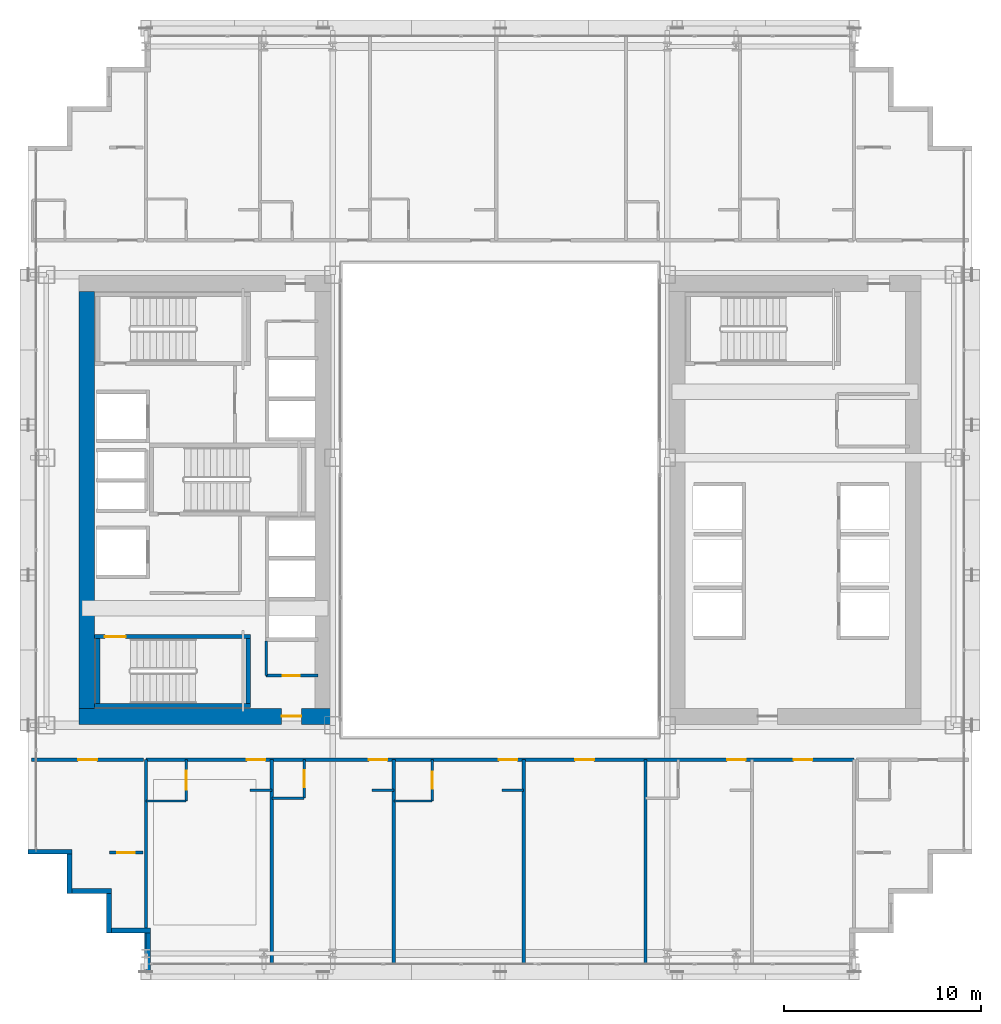
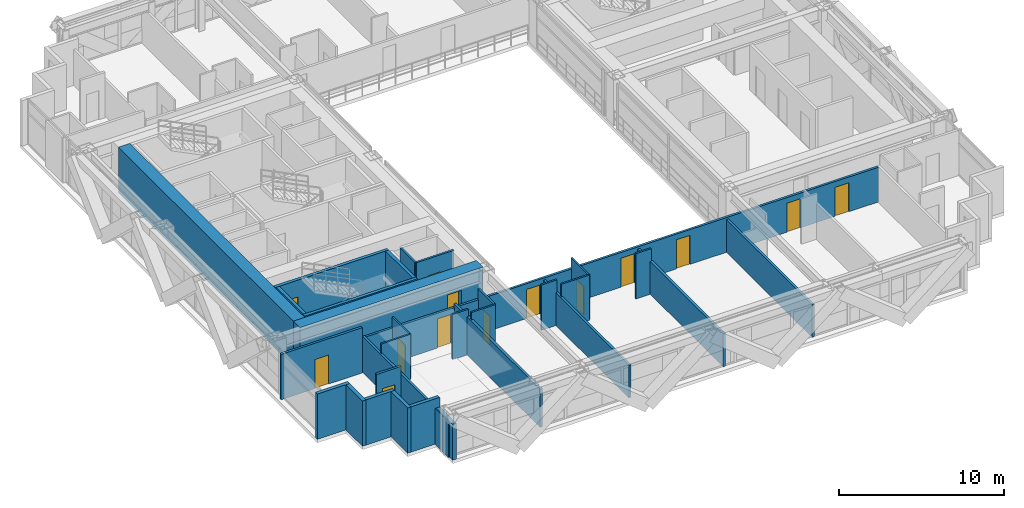
# One storey, part 33 of 41: 31 walls, 14 doors, 14 openings.
"""IFC4 building model written with IfcOpenShell, lengths in metres."""

from ifc_helpers import new_model, si_unit, direction, frame, frame_2d, origin, place, context, subcontext, project, spatial, rectangle, extrude, source, transform, mapped, material, layer, layer_set, type_object, element, fill, save


model = new_model("IFC4")

# Units and contexts
model_context = context("Model", 3, precision=1e-05, world=origin(), true_north=direction((0.0, 1.0)))
body_context = subcontext(model_context, "Body", "Model", "MODEL_VIEW")
ifc_project = project(units=[si_unit("LENGTHUNIT", "METRE"), si_unit("AREAUNIT", "SQUARE_METRE"), si_unit("VOLUMEUNIT", "CUBIC_METRE"), si_unit("PLANEANGLEUNIT", "RADIAN"), si_unit("MASSUNIT", "GRAM", prefix="KILO")], contexts=[model_context])

# Site, building, storey
site_placement = place(None, origin())
site = spatial("IfcSite", under=ifc_project, at=site_placement, CompositionType="ELEMENT")
building_placement = place(site_placement, origin())
building = spatial("IfcBuilding", under=site, at=building_placement, Name="Ocotamira Hotel", CompositionType="ELEMENT")
storey_placement = place(building_placement, frame((0.0, 0.0, 52.800048828125)))
storey = spatial("IfcBuildingStorey", under=building, at=storey_placement, Name="L12", CompositionType="ELEMENT", Elevation=52.800048828125)

# Wall, opening, door
ifc_material_1 = material(Name="Concrete C60/75", Category="concrete")
ifc_layer_1 = layer(ifc_material_1, 0.800048828125)
ifc_layer_set_1 = layer_set([ifc_layer_1], Name="Concrete C60/75")
wall_type_1 = type_object("IfcWallType", Name="WL-CORE-800", PredefinedType="SHEAR", material=ifc_layer_set_1)
wall_1_placement = place(storey_placement, frame((10.60009765625, 15.0, 0.0), z_axis=(0.0, 0.0, 1.0), x_axis=(1.0, 0.0, 0.0)))
wall_1 = element("IfcWall", 1, at=wall_1_placement, inside=storey, type_object=wall_type_1, Name="L12 Shear Core Wall WCORE-S", PredefinedType="SHEAR", context=body_context, shape_type="SweptSolid", body=[
    extrude(rectangle(XDim=12.7998046875, YDim=0.800048828125, at=frame_2d((6.39990234375, 0.0))), origin(), (0.0, 0.0, 1.0), 3.349853515625),
])
opening_1_placement = place(wall_1_placement, frame((10.300048828125, 0.0, 0.0)))
opening_1 = element("IfcOpeningElement", 2, at=opening_1_placement, cuts=wall_1, Name="Opening D-FR2", PredefinedType="OPENING", context=body_context, shape_type="SweptSolid", body=[
    extrude(rectangle(XDim=1.0, YDim=2.14990234375, at=frame_2d((0.5, 1.074951171875))), frame((0.0, 0.41015625, 0.0), z_axis=(0.0, -1.0, 0.0), x_axis=(1.0, 0.0, 0.0)), (0.0, 0.0, 1.0), 0.820068359375),
])
ifc_material_2 = material(Name="Fire-rated acoustic timber-veneer door", Category="wood")
door_type_1 = type_object("IfcDoorType", Name="DR-FIRE-1000", OperationType="NOTDEFINED", PredefinedType="DOOR", material=ifc_material_2)
shared_shape_1 = source(origin(), body_context, "Body", "SweptSolid", [
    extrude(rectangle(XDim=1.0, YDim=2.14990234375, at=frame_2d((0.5, 1.074951171875))), frame((0.0, 0.02490234375, 0.0), z_axis=(0.0, -1.0, 0.0), x_axis=(1.0, 0.0, 0.0)), (0.0, 0.0, 1.0), 0.050048828125),
])
door_1_placement = place(opening_1_placement, origin())
door_1 = element("IfcDoor", 3, at=door_1_placement, inside=storey, type_object=door_type_1, Name="L12 Door ID-L12-WLOB-S-D [ID-L12-WLOB-S-D]", OperationType="SINGLE_SWING_LEFT", OverallHeight=2.14990234375, OverallWidth=1.0, PredefinedType="DOOR", context=body_context, shape_type="MappedRepresentation", body=[
    mapped(shared_shape_1, transform((0.0, 0.0, 0.0), scale=1.0)),
])
fill(opening_1, door_1)

# Walls
wall_2_placement = place(storey_placement, frame((11.0, 15.39990234375, 0.0), z_axis=(0.0, 0.0, 1.0), x_axis=(0.0, 1.0, 0.0)))
element("IfcWall", 4, at=wall_2_placement, inside=storey, type_object=wall_type_1, Name="L12 Shear Core Wall WCORE-W", PredefinedType="SHEAR", context=body_context, shape_type="SweptSolid", body=[
    extrude(rectangle(XDim=21.2001953125, YDim=0.800048828125, at=frame_2d((10.60009765625, 0.0))), origin(), (0.0, 0.0, 1.0), 3.349853515625),
])
ifc_material_3 = material(Name="Precast concrete C45/55", Category="concrete")
ifc_layer_2 = layer(ifc_material_3, 0.25)
ifc_layer_set_2 = layer_set([ifc_layer_2], Name="Precast concrete C45/55")
wall_type_2 = type_object("IfcWallType", Name="WL-EXT-SER-250", PredefinedType="SOLIDWALL", material=ifc_layer_set_2)
wall_3_placement = place(storey_placement, frame((8.0, 8.125, 0.0), z_axis=(0.0, 0.0, 1.0), x_axis=(1.0, 0.0, 0.0)))
element("IfcWall", 5, at=wall_3_placement, inside=storey, type_object=wall_type_2, Name="L12 Serrated Corner Wall 19", PredefinedType="SOLIDWALL", context=body_context, shape_type="SweptSolid", body=[
    extrude(rectangle(XDim=2.25, YDim=0.25, at=frame_2d((1.125, 0.0))), origin(), (0.0, 0.0, 1.0), 3.349853515625),
])
for number, where, z_axis, x_axis, name in (
    (6, (10.125, 8.0, 0.0), (0.0, 0.0, 1.0), (0.0, -1.0, 0.0), "L12 Serrated Corner Wall 20"),
    (7, (10.25, 6.125, 0.0), (0.0, 0.0, 1.0), (1.0, 0.0, 0.0), "L12 Serrated Corner Wall 21"),
    (8, (12.125, 6.0, 0.0), (0.0, 0.0, 1.0), (0.0, -1.0, 0.0), "L12 Serrated Corner Wall 22"),
    (9, (12.25, 4.125, 0.0), (0.0, 0.0, 1.0), (1.0, 0.0, 0.0), "L12 Serrated Corner Wall 23"),
):
    element("IfcWall", number, at=place(storey_placement, frame(where, z_axis=z_axis, x_axis=x_axis)), inside=storey, type_object=wall_type_2, Name=name, PredefinedType="SOLIDWALL", context=body_context, shape_type="SweptSolid", body=[
        extrude(rectangle(XDim=2.0, YDim=0.25, at=frame_2d((1.0, 0.0))), origin(), (0.0, 0.0, 1.0), 3.349853515625),
    ])
wall_4_placement = place(storey_placement, frame((14.125, 4.0, 0.0), z_axis=(0.0, 0.0, 1.0), x_axis=(0.0, -1.0, 0.0)))
element("IfcWall", 10, at=wall_4_placement, inside=storey, type_object=wall_type_2, Name="L12 Serrated Corner Wall 24", PredefinedType="SOLIDWALL", context=body_context, shape_type="SweptSolid", body=[
    extrude(rectangle(XDim=2.0, YDim=0.25, at=frame_2d((1.0, 0.0))), origin(), (0.0, 0.0, 1.0), 2.656982421875),
])

# Wall, opening, door
ifc_material_4 = material(Name="Acoustic double-layer fire gypsum board partition", Category="gypsum")
ifc_layer_3 = layer(ifc_material_4, 0.159912109375)
ifc_layer_set_3 = layer_set([ifc_layer_3], Name="Acoustic double-layer fire gypsum board partition")
wall_type_3 = type_object("IfcWallType", Name="WL-FIRE-160", PredefinedType="PARTITIONING", material=ifc_layer_set_3)
wall_5_placement = place(storey_placement, frame((8.199951171875, 12.800048828125, 0.0), z_axis=(0.0, 0.0, 1.0), x_axis=(1.0, 0.0, 0.0)))
wall_5 = element("IfcWall", 11, at=wall_5_placement, inside=storey, type_object=wall_type_3, Name="L12 Interior Wall PW-L12-Z1B-CSW-CW", PredefinedType="PARTITIONING", context=body_context, shape_type="SweptSolid", body=[
    extrude(rectangle(XDim=5.679931640625, YDim=0.159912109375, at=frame_2d((2.83984375, 0.0))), origin(), (0.0, 0.0, 1.0), 3.349853515625),
])
opening_2_placement = place(wall_5_placement, frame((2.360107421875, 0.0, 0.0)))
opening_2 = element("IfcOpeningElement", 12, at=opening_2_placement, cuts=wall_5, Name="Opening D-SV4", PredefinedType="OPENING", context=body_context, shape_type="SweptSolid", body=[
    extrude(rectangle(XDim=0.9599609375, YDim=2.14990234375, at=frame_2d((0.47998046875, 1.074951171875))), frame((0.0, 0.08984375, 0.0), z_axis=(0.0, -1.0, 0.0), x_axis=(1.0, 0.0, 0.0)), (0.0, 0.0, 1.0), 0.179931640625),
])
ifc_material_5 = material(Name="Fire-rated accessible walnut salon door", Category="wood")
door_type_2 = type_object("IfcDoorType", Name="DR-SERV-960", OperationType="NOTDEFINED", PredefinedType="DOOR", material=ifc_material_5)
shared_shape_2 = source(origin(), body_context, "Body", "SweptSolid", [
    extrude(rectangle(XDim=0.9599609375, YDim=2.14990234375, at=frame_2d((0.47998046875, 1.074951171875))), frame((0.0, 0.02490234375, 0.0), z_axis=(0.0, -1.0, 0.0), x_axis=(1.0, 0.0, 0.0)), (0.0, 0.0, 1.0), 0.050048828125),
])
door_2_placement = place(opening_2_placement, origin())
door_2 = element("IfcDoor", 13, at=door_2_placement, inside=storey, type_object=door_type_2, Name="L12 Door ID-L12-Z1B-CSW-CD [ID-L12-Z1B-CSW-CD]", OperationType="SINGLE_SWING_LEFT", OverallHeight=2.14990234375, OverallWidth=0.9599609375, PredefinedType="DOOR", context=body_context, shape_type="MappedRepresentation", body=[
    mapped(shared_shape_2, transform((0.0, 0.0, 0.0), scale=1.0)),
])
fill(opening_2, door_2)

wall_6_placement = place(storey_placement, frame((12.14990234375, 8.080078125, 0.0), z_axis=(0.0, 0.0, 1.0), x_axis=(1.0, 0.0, 0.0)))
wall_6 = element("IfcWall", 14, at=wall_6_placement, inside=storey, type_object=wall_type_3, Name="L12 Interior Wall PW-L12-Z1B-CSW2-CW", PredefinedType="PARTITIONING", context=body_context, shape_type="SweptSolid", body=[
    extrude(rectangle(XDim=1.7001953125, YDim=0.159912109375, at=frame_2d((0.85009765625, 0.0))), origin(), (0.0, 0.0, 1.0), 3.349853515625),
])
opening_3_placement = place(wall_6_placement, frame((0.409912109375, 0.0, 0.0)))
opening_3 = element("IfcOpeningElement", 15, at=opening_3_placement, cuts=wall_6, Name="Opening D-SV2", PredefinedType="OPENING", context=body_context, shape_type="SweptSolid", body=[
    extrude(rectangle(XDim=0.8798828125, YDim=2.14990234375, at=frame_2d((0.43994140625, 1.074951171875))), frame((0.0, 0.08984375, 0.0), z_axis=(0.0, -1.0, 0.0), x_axis=(1.0, 0.0, 0.0)), (0.0, 0.0, 1.0), 0.179931640625),
])
ifc_material_6 = material(Name="Fire-rated painted steel service door", Category="steel")
door_type_3 = type_object("IfcDoorType", Name="DR-SERV-880", OperationType="NOTDEFINED", PredefinedType="DOOR", material=ifc_material_6)
shared_shape_3 = source(origin(), body_context, "Body", "SweptSolid", [
    extrude(rectangle(XDim=0.8798828125, YDim=2.14990234375, at=frame_2d((0.43994140625, 1.074951171875))), frame((0.0, 0.02490234375, 0.0), z_axis=(0.0, -1.0, 0.0), x_axis=(1.0, 0.0, 0.0)), (0.0, 0.0, 1.0), 0.050048828125),
])
door_3_placement = place(opening_3_placement, origin())
door_3 = element("IfcDoor", 16, at=door_3_placement, inside=storey, type_object=door_type_3, Name="L12 Door ID-L12-Z1B-CSW2-CD [ID-L12-Z1B-CSW2-CD]", OperationType="SINGLE_SWING_LEFT", OverallHeight=2.14990234375, OverallWidth=0.8798828125, PredefinedType="DOOR", context=body_context, shape_type="MappedRepresentation", body=[
    mapped(shared_shape_3, transform((0.0, 0.0, 0.0), scale=1.0)),
])
fill(opening_3, door_3)

# Wall, openings, doors
wall_7_placement = place(storey_placement, frame((14.0, 12.800048828125, 0.0), z_axis=(0.0, 0.0, 1.0), x_axis=(1.0, 0.0, 0.0)))
wall_7 = element("IfcWall", 17, at=wall_7_placement, inside=storey, type_object=wall_type_3, Name="L12 Interior Wall PW-L12-Z1BS-CORRW", PredefinedType="PARTITIONING", context=body_context, shape_type="SweptSolid", body=[
    extrude(rectangle(XDim=36.0, YDim=0.159912109375, at=frame_2d((18.0, 0.0))), origin(), (0.0, 0.0, 1.0), 2.571044921875),
])
opening_4_placement = place(wall_7_placement, frame((5.139892578125, 0.0, 0.0)))
opening_4 = element("IfcOpeningElement", 18, at=opening_4_placement, cuts=wall_7, Name="Opening D-GR1", PredefinedType="OPENING", context=body_context, shape_type="SweptSolid", body=[
    extrude(rectangle(XDim=0.93994140625, YDim=2.14990234375, at=frame_2d((0.469970703125, 1.074951171875))), frame((0.0, 0.08984375, 0.0), z_axis=(0.0, -1.0, 0.0), x_axis=(1.0, 0.0, 0.0)), (0.0, 0.0, 1.0), 0.179931640625),
])
opening_5_placement = place(wall_7_placement, frame((11.340087890625, 0.0, 0.0)))
opening_5 = element("IfcOpeningElement", 19, at=opening_5_placement, cuts=wall_7, Name="Opening D-GR1", PredefinedType="OPENING", context=body_context, shape_type="SweptSolid", body=[
    extrude(rectangle(XDim=0.93994140625, YDim=2.14990234375, at=frame_2d((0.469970703125, 1.074951171875))), frame((0.0, 0.08984375, 0.0), z_axis=(0.0, -1.0, 0.0), x_axis=(1.0, 0.0, 0.0)), (0.0, 0.0, 1.0), 0.179931640625),
])
opening_6_placement = place(wall_7_placement, frame((17.93994140625, 0.0, 0.0)))
opening_6 = element("IfcOpeningElement", 20, at=opening_6_placement, cuts=wall_7, Name="Opening D-GR1", PredefinedType="OPENING", context=body_context, shape_type="SweptSolid", body=[
    extrude(rectangle(XDim=0.93994140625, YDim=2.14990234375, at=frame_2d((0.469970703125, 1.074951171875))), frame((0.0, 0.08984375, 0.0), z_axis=(0.0, -1.0, 0.0), x_axis=(1.0, 0.0, 0.0)), (0.0, 0.0, 1.0), 0.179931640625),
])
opening_7_placement = place(wall_7_placement, frame((21.820068359375, 0.0, 0.0)))
opening_7 = element("IfcOpeningElement", 21, at=opening_7_placement, cuts=wall_7, Name="Opening D-SV4", PredefinedType="OPENING", context=body_context, shape_type="SweptSolid", body=[
    extrude(rectangle(XDim=0.9599609375, YDim=2.14990234375, at=frame_2d((0.47998046875, 1.074951171875))), frame((0.0, 0.08984375, 0.0), z_axis=(0.0, -1.0, 0.0), x_axis=(1.0, 0.0, 0.0)), (0.0, 0.0, 1.0), 0.179931640625),
])
opening_8_placement = place(wall_7_placement, frame((29.5400390625, 0.0, 0.0)))
opening_8 = element("IfcOpeningElement", 22, at=opening_8_placement, cuts=wall_7, Name="Opening D-GR1", PredefinedType="OPENING", context=body_context, shape_type="SweptSolid", body=[
    extrude(rectangle(XDim=0.93994140625, YDim=2.14990234375, at=frame_2d((0.469970703125, 1.074951171875))), frame((0.0, 0.08984375, 0.0), z_axis=(0.0, -1.0, 0.0), x_axis=(1.0, 0.0, 0.0)), (0.0, 0.0, 1.0), 0.179931640625),
])
opening_9_placement = place(wall_7_placement, frame((32.919921875, 0.0, 0.0)))
opening_9 = element("IfcOpeningElement", 23, at=opening_9_placement, cuts=wall_7, Name="Opening D-SV4", PredefinedType="OPENING", context=body_context, shape_type="SweptSolid", body=[
    extrude(rectangle(XDim=0.9599609375, YDim=2.14990234375, at=frame_2d((0.47998046875, 1.074951171875))), frame((0.0, 0.08984375, 0.0), z_axis=(0.0, -1.0, 0.0), x_axis=(1.0, 0.0, 0.0)), (0.0, 0.0, 1.0), 0.179931640625),
])
door_4_placement = place(opening_7_placement, origin())
door_4 = element("IfcDoor", 24, at=door_4_placement, inside=storey, type_object=door_type_2, Name="L12 Door ID-L12-Z1BS-AMD4 [ID-L12-Z1BS-AMD4]", OperationType="SINGLE_SWING_RIGHT", OverallHeight=2.14990234375, OverallWidth=0.9599609375, PredefinedType="DOOR", context=body_context, shape_type="MappedRepresentation", body=[
    mapped(shared_shape_2, transform((0.0, 0.0, 0.0), scale=1.0)),
])
fill(opening_7, door_4)
door_5_placement = place(opening_9_placement, origin())
door_5 = element("IfcDoor", 25, at=door_5_placement, inside=storey, type_object=door_type_2, Name="L12 Door ID-L12-Z1BS-AMD6 [ID-L12-Z1BS-AMD6]", OperationType="SINGLE_SWING_RIGHT", OverallHeight=2.14990234375, OverallWidth=0.9599609375, PredefinedType="DOOR", context=body_context, shape_type="MappedRepresentation", body=[
    mapped(shared_shape_2, transform((0.0, 0.0, 0.0), scale=1.0)),
])
fill(opening_9, door_5)
ifc_material_7 = material(Name="Solid-core walnut suite entrance fire door", Category="wood")
door_type_4 = type_object("IfcDoorType", Name="DR-GUEST-940", OperationType="NOTDEFINED", PredefinedType="DOOR", material=ifc_material_7)
shared_shape_4 = source(origin(), body_context, "Body", "SweptSolid", [
    extrude(rectangle(XDim=0.93994140625, YDim=2.14990234375, at=frame_2d((0.469970703125, 1.074951171875))), frame((0.0, 0.02490234375, 0.0), z_axis=(0.0, -1.0, 0.0), x_axis=(1.0, 0.0, 0.0)), (0.0, 0.0, 1.0), 0.050048828125),
])
door_6_placement = place(opening_4_placement, origin())
door_6 = element("IfcDoor", 26, at=door_6_placement, inside=storey, type_object=door_type_4, Name="L12 Door ID-L12-Z1BS-RMD1 [ID-L12-Z1BS-RMD1]", OperationType="SINGLE_SWING_LEFT", OverallHeight=2.14990234375, OverallWidth=0.93994140625, PredefinedType="DOOR", context=body_context, shape_type="MappedRepresentation", body=[
    mapped(shared_shape_4, transform((0.0, 0.0, 0.0), scale=1.0)),
])
fill(opening_4, door_6)
door_7_placement = place(opening_5_placement, origin())
door_7 = element("IfcDoor", 27, at=door_7_placement, inside=storey, type_object=door_type_4, Name="L12 Door ID-L12-Z1BS-RMD2 [ID-L12-Z1BS-RMD2]", OperationType="SINGLE_SWING_RIGHT", OverallHeight=2.14990234375, OverallWidth=0.93994140625, PredefinedType="DOOR", context=body_context, shape_type="MappedRepresentation", body=[
    mapped(shared_shape_4, transform((0.0, 0.0, 0.0), scale=1.0)),
])
fill(opening_5, door_7)
door_8_placement = place(opening_6_placement, origin())
door_8 = element("IfcDoor", 28, at=door_8_placement, inside=storey, type_object=door_type_4, Name="L12 Door ID-L12-Z1BS-RMD3 [ID-L12-Z1BS-RMD3]", OperationType="SINGLE_SWING_LEFT", OverallHeight=2.14990234375, OverallWidth=0.93994140625, PredefinedType="DOOR", context=body_context, shape_type="MappedRepresentation", body=[
    mapped(shared_shape_4, transform((0.0, 0.0, 0.0), scale=1.0)),
])
fill(opening_6, door_8)
door_9_placement = place(opening_8_placement, origin())
door_9 = element("IfcDoor", 29, at=door_9_placement, inside=storey, type_object=door_type_4, Name="L12 Door ID-L12-Z1BS-RMD5 [ID-L12-Z1BS-RMD5]", OperationType="SINGLE_SWING_LEFT", OverallHeight=2.14990234375, OverallWidth=0.93994140625, PredefinedType="DOOR", context=body_context, shape_type="MappedRepresentation", body=[
    mapped(shared_shape_4, transform((0.0, 0.0, 0.0), scale=1.0)),
])
fill(opening_8, door_9)

# Wall, opening, door
ifc_material_8 = material(Name="Moisture-resistant en-suite tile and gypsum partition", Category="gypsum")
ifc_layer_4 = layer(ifc_material_8, 0.1201171875)
ifc_layer_set_4 = layer_set([ifc_layer_4], Name="Moisture-resistant en-suite tile and gypsum partition")
wall_type_4 = type_object("IfcWallType", Name="WL-PART-120", PredefinedType="PARTITIONING", material=ifc_layer_set_4)
wall_8_placement = place(storey_placement, frame((16.050048828125, 10.699951171875, 0.0), z_axis=(0.0, 0.0, 1.0), x_axis=(0.0, 1.0, 0.0)))
wall_8 = element("IfcWall", 30, at=wall_8_placement, inside=storey, type_object=wall_type_4, Name="L12 Interior Wall PW-L12-Z1BS-BAE1", PredefinedType="PARTITIONING", context=body_context, shape_type="SweptSolid", body=[
    extrude(rectangle(XDim=2.10009765625, YDim=0.1201171875, at=frame_2d((1.050048828125, 0.0))), origin(), (0.0, 0.0, 1.0), 3.349853515625),
])
opening_10_placement = place(wall_8_placement, frame((0.570068359375, 0.0, 0.0)))
opening_10 = element("IfcOpeningElement", 31, at=opening_10_placement, cuts=wall_8, Name="Opening D-IN1", PredefinedType="OPENING", context=body_context, shape_type="SweptSolid", body=[
    extrude(rectangle(XDim=0.9599609375, YDim=2.14990234375, at=frame_2d((0.47998046875, 1.074951171875))), frame((0.0, 0.070068359375, 0.0), z_axis=(0.0, -1.0, 0.0), x_axis=(1.0, 0.0, 0.0)), (0.0, 0.0, 1.0), 0.14013671875),
])
ifc_material_9 = material(Name="Accessible walnut interior room door", Category="wood")
door_type_5 = type_object("IfcDoorType", Name="DR-INT-960", OperationType="NOTDEFINED", PredefinedType="DOOR", material=ifc_material_9)
door_10_placement = place(opening_10_placement, origin())
door_10 = element("IfcDoor", 32, at=door_10_placement, inside=storey, type_object=door_type_5, Name="L12 Door ID-L12-Z1BS-BAD1 [ID-L12-Z1BS-BAD1]", OperationType="SINGLE_SWING_RIGHT", OverallHeight=2.14990234375, OverallWidth=0.9599609375, PredefinedType="DOOR", context=body_context, shape_type="MappedRepresentation", body=[
    mapped(shared_shape_2, transform((0.0, 0.0, 0.0), scale=1.0)),
])
fill(opening_10, door_10)

# Walls
wall_9_placement = place(storey_placement, frame((14.0, 10.699951171875, 0.0), z_axis=(0.0, 0.0, 1.0), x_axis=(1.0, 0.0, 0.0)))
element("IfcWall", 33, at=wall_9_placement, inside=storey, type_object=wall_type_4, Name="L12 Interior Wall PW-L12-Z1BS-BAS1", PredefinedType="PARTITIONING", context=body_context, shape_type="SweptSolid", body=[
    extrude(rectangle(XDim=2.050048828125, YDim=0.1201171875, at=frame_2d((1.02490234375, 0.0))), origin(), (0.0, 0.0, 1.0), 3.349853515625),
])
wall_10_placement = place(storey_placement, frame((19.300048828125, 11.25, 0.0), z_axis=(0.0, 0.0, 1.0), x_axis=(1.0, 0.0, 0.0)))
element("IfcWall", 34, at=wall_10_placement, inside=storey, type_object=wall_type_4, Name="L12 Interior Wall PW-L12-Z1BS-DRN1", PredefinedType="PARTITIONING", context=body_context, shape_type="SweptSolid", body=[
    extrude(rectangle(XDim=1.099853515625, YDim=0.1201171875, at=frame_2d((0.5498046875, 0.0))), origin(), (0.0, 0.0, 1.0), 3.349853515625),
])

# Wall, opening, door
wall_11_placement = place(storey_placement, frame((22.050048828125, 10.85009765625, 0.0), z_axis=(0.0, 0.0, 1.0), x_axis=(0.0, 1.0, 0.0)))
wall_11 = element("IfcWall", 35, at=wall_11_placement, inside=storey, type_object=wall_type_4, Name="L12 Interior Wall PW-L12-Z1BS-BAE2", PredefinedType="PARTITIONING", context=body_context, shape_type="SweptSolid", body=[
    extrude(rectangle(XDim=1.949951171875, YDim=0.1201171875, at=frame_2d((0.97509765625, 0.0))), origin(), (0.0, 0.0, 1.0), 3.349853515625),
])
opening_11_placement = place(wall_11_placement, frame((0.544921875, 0.0, 0.0)))
opening_11 = element("IfcOpeningElement", 36, at=opening_11_placement, cuts=wall_11, Name="Opening D-BA1", PredefinedType="OPENING", context=body_context, shape_type="SweptSolid", body=[
    extrude(rectangle(XDim=0.860107421875, YDim=2.10009765625, at=frame_2d((0.43017578125, 1.050048828125))), frame((0.0, 0.070068359375, 0.0), z_axis=(0.0, -1.0, 0.0), x_axis=(1.0, 0.0, 0.0)), (0.0, 0.0, 1.0), 0.14013671875),
])
ifc_material_10 = material(Name="Moisture-sealed en-suite timber door", Category="wood")
door_type_6 = type_object("IfcDoorType", Name="DR-BATH-860", OperationType="NOTDEFINED", PredefinedType="DOOR", material=ifc_material_10)
shared_shape_5 = source(origin(), body_context, "Body", "SweptSolid", [
    extrude(rectangle(XDim=0.860107421875, YDim=2.10009765625, at=frame_2d((0.43017578125, 1.050048828125))), frame((0.0, 0.02490234375, 0.0), z_axis=(0.0, -1.0, 0.0), x_axis=(1.0, 0.0, 0.0)), (0.0, 0.0, 1.0), 0.050048828125),
])
door_11_placement = place(opening_11_placement, origin())
door_11 = element("IfcDoor", 37, at=door_11_placement, inside=storey, type_object=door_type_6, Name="L12 Door ID-L12-Z1BS-BAD2 [ID-L12-Z1BS-BAD2]", OperationType="SINGLE_SWING_LEFT", OverallHeight=2.10009765625, OverallWidth=0.860107421875, PredefinedType="DOOR", context=body_context, shape_type="MappedRepresentation", body=[
    mapped(shared_shape_5, transform((0.0, 0.0, 0.0), scale=1.0)),
])
fill(opening_11, door_11)

# Walls
wall_12_placement = place(storey_placement, frame((20.39990234375, 10.85009765625, 0.0), z_axis=(0.0, 0.0, 1.0), x_axis=(1.0, 0.0, 0.0)))
element("IfcWall", 38, at=wall_12_placement, inside=storey, type_object=wall_type_4, Name="L12 Interior Wall PW-L12-Z1BS-BAS2", PredefinedType="PARTITIONING", context=body_context, shape_type="SweptSolid", body=[
    extrude(rectangle(XDim=1.650146484375, YDim=0.1201171875, at=frame_2d((0.8251953125, 0.0))), origin(), (0.0, 0.0, 1.0), 3.349853515625),
])
wall_13_placement = place(storey_placement, frame((25.5, 11.25, 0.0), z_axis=(0.0, 0.0, 1.0), x_axis=(1.0, 0.0, 0.0)))
element("IfcWall", 39, at=wall_13_placement, inside=storey, type_object=wall_type_4, Name="L12 Interior Wall PW-L12-Z1BS-DRN2", PredefinedType="PARTITIONING", context=body_context, shape_type="SweptSolid", body=[
    extrude(rectangle(XDim=1.10009765625, YDim=0.1201171875, at=frame_2d((0.550048828125, 0.0))), origin(), (0.0, 0.0, 1.0), 3.349853515625),
])

# Wall, opening, door
wall_14_placement = place(storey_placement, frame((28.550048828125, 10.699951171875, 0.0), z_axis=(0.0, 0.0, 1.0), x_axis=(0.0, 1.0, 0.0)))
wall_14 = element("IfcWall", 40, at=wall_14_placement, inside=storey, type_object=wall_type_4, Name="L12 Interior Wall PW-L12-Z1BS-BAE3", PredefinedType="PARTITIONING", context=body_context, shape_type="SweptSolid", body=[
    extrude(rectangle(XDim=2.10009765625, YDim=0.1201171875, at=frame_2d((1.050048828125, 0.0))), origin(), (0.0, 0.0, 1.0), 3.349853515625),
])
opening_12_placement = place(wall_14_placement, frame((0.6201171875, 0.0, 0.0)))
opening_12 = element("IfcOpeningElement", 41, at=opening_12_placement, cuts=wall_14, Name="Opening D-BA1", PredefinedType="OPENING", context=body_context, shape_type="SweptSolid", body=[
    extrude(rectangle(XDim=0.860107421875, YDim=2.10009765625, at=frame_2d((0.43017578125, 1.050048828125))), frame((0.0, 0.070068359375, 0.0), z_axis=(0.0, -1.0, 0.0), x_axis=(1.0, 0.0, 0.0)), (0.0, 0.0, 1.0), 0.14013671875),
])
door_12_placement = place(opening_12_placement, origin())
door_12 = element("IfcDoor", 42, at=door_12_placement, inside=storey, type_object=door_type_6, Name="L12 Door ID-L12-Z1BS-BAD3 [ID-L12-Z1BS-BAD3]", OperationType="SINGLE_SWING_RIGHT", OverallHeight=2.10009765625, OverallWidth=0.860107421875, PredefinedType="DOOR", context=body_context, shape_type="MappedRepresentation", body=[
    mapped(shared_shape_5, transform((0.0, 0.0, 0.0), scale=1.0)),
])
fill(opening_12, door_12)

# Walls
wall_15_placement = place(storey_placement, frame((26.60009765625, 10.699951171875, 0.0), z_axis=(0.0, 0.0, 1.0), x_axis=(1.0, 0.0, 0.0)))
element("IfcWall", 43, at=wall_15_placement, inside=storey, type_object=wall_type_4, Name="L12 Interior Wall PW-L12-Z1BS-BAS3", PredefinedType="PARTITIONING", context=body_context, shape_type="SweptSolid", body=[
    extrude(rectangle(XDim=1.949951171875, YDim=0.1201171875, at=frame_2d((0.97509765625, 0.0))), origin(), (0.0, 0.0, 1.0), 3.349853515625),
])
wall_16_placement = place(storey_placement, frame((32.10009765625, 11.25, 0.0), z_axis=(0.0, 0.0, 1.0), x_axis=(1.0, 0.0, 0.0)))
element("IfcWall", 44, at=wall_16_placement, inside=storey, type_object=wall_type_4, Name="L12 Interior Wall PW-L12-Z1BS-DRN3", PredefinedType="PARTITIONING", context=body_context, shape_type="SweptSolid", body=[
    extrude(rectangle(XDim=1.099853515625, YDim=0.1201171875, at=frame_2d((0.5498046875, 0.0))), origin(), (0.0, 0.0, 1.0), 3.349853515625),
])
ifc_material_11 = material(Name="Acoustic hospitality gypsum board partition", Category="gypsum")
ifc_layer_5 = layer(ifc_material_11, 0.14208984375)
ifc_layer_set_5 = layer_set([ifc_layer_5], Name="Acoustic hospitality gypsum board partition")
wall_type_5 = type_object("IfcWallType", Name="WL-PART-142", PredefinedType="PARTITIONING", material=ifc_layer_set_5)
wall_17_placement = place(storey_placement, frame((20.1201171875, 17.080078125, 0.0), z_axis=(0.0, 0.0, 1.0), x_axis=(0.0, 1.0, 0.0)))
element("IfcWall", 45, at=wall_17_placement, inside=storey, type_object=wall_type_5, Name="L12 Interior Wall PW-L12-WC-SE-W2", PredefinedType="PARTITIONING", context=body_context, shape_type="SweptSolid", body=[
    extrude(rectangle(XDim=1.760009765625, YDim=0.14208984375, at=frame_2d((0.8798828125, 0.0))), origin(), (0.0, 0.0, 1.0), 3.349853515625),
])

# Wall, opening, door
wall_18_placement = place(storey_placement, frame((20.1201171875, 17.080078125, 0.0), z_axis=(0.0, 0.0, 1.0), x_axis=(1.0, 0.0, 0.0)))
wall_18 = element("IfcWall", 46, at=wall_18_placement, inside=storey, type_object=wall_type_5, Name="L12 Interior Wall PW-L12-WC-SE-S2", PredefinedType="PARTITIONING", context=body_context, shape_type="SweptSolid", body=[
    extrude(rectangle(XDim=2.6298828125, YDim=0.14208984375, at=frame_2d((1.31494140625, 0.0))), origin(), (0.0, 0.0, 1.0), 3.349853515625),
])
opening_13_placement = place(wall_18_placement, frame((0.85009765625, 0.0, 0.0)))
opening_13 = element("IfcOpeningElement", 47, at=opening_13_placement, cuts=wall_18, Name="Opening D-SV1", PredefinedType="OPENING", context=body_context, shape_type="SweptSolid", body=[
    extrude(rectangle(XDim=0.840087890625, YDim=2.10009765625, at=frame_2d((0.419921875, 1.050048828125))), frame((0.0, 0.0810546875, 0.0), z_axis=(0.0, -1.0, 0.0), x_axis=(1.0, 0.0, 0.0)), (0.0, 0.0, 1.0), 0.162109375),
])
door_type_7 = type_object("IfcDoorType", Name="DR-SERV-840", OperationType="NOTDEFINED", PredefinedType="DOOR", material=ifc_material_6)
shared_shape_6 = source(origin(), body_context, "Body", "SweptSolid", [
    extrude(rectangle(XDim=0.840087890625, YDim=2.10009765625, at=frame_2d((0.419921875, 1.050048828125))), frame((0.0, 0.02490234375, 0.0), z_axis=(0.0, -1.0, 0.0), x_axis=(1.0, 0.0, 0.0)), (0.0, 0.0, 1.0), 0.050048828125),
])
door_13_placement = place(opening_13_placement, origin())
door_13 = element("IfcDoor", 48, at=door_13_placement, inside=storey, type_object=door_type_7, Name="L12 Door ID-L12-WC-SE-D2 [ID-L12-WC-SE-D2]", OperationType="SINGLE_SWING_LEFT", OverallHeight=2.10009765625, OverallWidth=0.840087890625, PredefinedType="DOOR", context=body_context, shape_type="MappedRepresentation", body=[
    mapped(shared_shape_6, transform((0.0, 0.0, 0.0), scale=1.0)),
])
fill(opening_13, door_13)

# Walls
ifc_material_12 = material(Name="Acoustic double-stud hospitality gypsum partition", Category="gypsum")
ifc_layer_6 = layer(ifc_material_12, 0.159912109375)
ifc_layer_set_6 = layer_set([ifc_layer_6], Name="Acoustic double-stud hospitality gypsum partition")
wall_type_6 = type_object("IfcWallType", Name="WL-PART-160", PredefinedType="PARTITIONING", material=ifc_layer_set_6)
wall_19_placement = place(storey_placement, frame((14.0, 2.360107421875, 0.0), z_axis=(0.0, 0.0, 1.0), x_axis=(0.0, 1.0, 0.0)))
element("IfcWall", 49, at=wall_19_placement, inside=storey, type_object=wall_type_6, Name="L12 Interior Wall PW-L12-Z1BS-PW0", PredefinedType="PARTITIONING", context=body_context, shape_type="SweptSolid", body=[
    extrude(rectangle(XDim=10.43994140625, YDim=0.159912109375, at=frame_2d((5.219970703125, 0.0))), origin(), (0.0, 0.0, 1.0), 2.656982421875),
])
for number, where, z_axis, x_axis, name in (
    (50, (26.60009765625, 2.360107421875, 0.0), (0.0, 0.0, 1.0), (0.0, 1.0, 0.0), "L12 Interior Wall PW-L12-Z1BS-PW2"),
    (51, (39.39990234375, 2.360107421875, 0.0), (0.0, 0.0, 1.0), (0.0, 1.0, 0.0), "L12 Interior Wall PW-L12-Z1BS-PW4"),
):
    element("IfcWall", number, at=place(storey_placement, frame(where, z_axis=z_axis, x_axis=x_axis)), inside=storey, type_object=wall_type_6, Name=name, PredefinedType="PARTITIONING", context=body_context, shape_type="SweptSolid", body=[
        extrude(rectangle(XDim=10.43994140625, YDim=0.159912109375, at=frame_2d((5.219970703125, 0.0))), origin(), (0.0, 0.0, 1.0), 2.4228515625),
    ])
ifc_material_13 = material(Name="Double-stud suite party gypsum partition", Category="gypsum")
ifc_layer_7 = layer(ifc_material_13, 0.175048828125)
ifc_layer_set_7 = layer_set([ifc_layer_7], Name="Double-stud suite party gypsum partition")
wall_type_7 = type_object("IfcWallType", Name="WL-PART-175", PredefinedType="PARTITIONING", material=ifc_layer_set_7)
wall_20_placement = place(storey_placement, frame((20.39990234375, 2.360107421875, 0.0), z_axis=(0.0, 0.0, 1.0), x_axis=(0.0, 1.0, 0.0)))
element("IfcWall", 52, at=wall_20_placement, inside=storey, type_object=wall_type_7, Name="L12 Interior Wall PW-L12-Z1BS-PW1", PredefinedType="PARTITIONING", context=body_context, shape_type="SweptSolid", body=[
    extrude(rectangle(XDim=10.43994140625, YDim=0.175048828125, at=frame_2d((5.219970703125, 0.0))), origin(), (0.0, 0.0, 1.0), 2.81298828125),
])
wall_21_placement = place(storey_placement, frame((33.199951171875, 2.360107421875, 0.0), z_axis=(0.0, 0.0, 1.0), x_axis=(0.0, 1.0, 0.0)))
element("IfcWall", 53, at=wall_21_placement, inside=storey, type_object=wall_type_7, Name="L12 Interior Wall PW-L12-Z1BS-PW3", PredefinedType="PARTITIONING", context=body_context, shape_type="SweptSolid", body=[
    extrude(rectangle(XDim=10.43994140625, YDim=0.175048828125, at=frame_2d((5.219970703125, 0.0))), origin(), (0.0, 0.0, 1.0), 2.4228515625),
])
ifc_material_14 = material(Name="Concrete C50/60", Category="concrete")
ifc_layer_8 = layer(ifc_material_14, 0.219970703125)
ifc_layer_set_8 = layer_set([ifc_layer_8], Name="Concrete C50/60")
wall_type_8 = type_object("IfcWallType", Name="WL-STAIR-220", PredefinedType="SHEAR", material=ifc_layer_set_8)
wall_22_placement = place(storey_placement, frame((11.39990234375, 15.56005859375, 0.0), z_axis=(0.0, 0.0, 1.0), x_axis=(1.0, 0.0, 0.0)))
element("IfcWall", 54, at=wall_22_placement, inside=storey, type_object=wall_type_8, Name="L12 Stair Shaft Structural Wall ST-1-S", PredefinedType="SHEAR", context=body_context, shape_type="SweptSolid", body=[
    extrude(rectangle(XDim=7.91015625, YDim=0.219970703125, at=frame_2d((3.955078125, 0.0))), origin(), (0.0, 0.0, 1.0), 3.39990234375),
])

# Wall, opening, door
wall_23_placement = place(storey_placement, frame((11.39990234375, 19.06005859375, 0.0), z_axis=(0.0, 0.0, 1.0), x_axis=(1.0, 0.0, 0.0)))
wall_23 = element("IfcWall", 55, at=wall_23_placement, inside=storey, type_object=wall_type_8, Name="L12 Stair Shaft Structural Wall ST-1-N", PredefinedType="SHEAR", context=body_context, shape_type="SweptSolid", body=[
    extrude(rectangle(XDim=7.91015625, YDim=0.219970703125, at=frame_2d((3.955078125, 0.0))), origin(), (0.0, 0.0, 1.0), 3.39990234375),
])
opening_14_placement = place(wall_23_placement, frame((0.52001953125, 0.0, 0.0)))
opening_14 = element("IfcOpeningElement", 56, at=opening_14_placement, cuts=wall_23, Name="Opening D-ST2", PredefinedType="OPENING", context=body_context, shape_type="SweptSolid", body=[
    extrude(rectangle(XDim=1.050048828125, YDim=2.14990234375, at=frame_2d((0.52490234375, 1.074951171875))), frame((0.0, 0.1201171875, 0.0), z_axis=(0.0, -1.0, 0.0), x_axis=(1.0, 0.0, 0.0)), (0.0, 0.0, 1.0), 0.239990234375),
])
ifc_material_15 = material(Name="Insulated painted hollow-metal fire exit door", Category="steel")
door_type_8 = type_object("IfcDoorType", Name="DR-STAIR-1050", OperationType="NOTDEFINED", PredefinedType="DOOR", material=ifc_material_15)
shared_shape_7 = source(origin(), body_context, "Body", "SweptSolid", [
    extrude(rectangle(XDim=1.050048828125, YDim=2.14990234375, at=frame_2d((0.52490234375, 1.074951171875))), frame((0.0, 0.02490234375, 0.0), z_axis=(0.0, -1.0, 0.0), x_axis=(1.0, 0.0, 0.0)), (0.0, 0.0, 1.0), 0.050048828125),
])
door_14_placement = place(opening_14_placement, origin())
door_14 = element("IfcDoor", 57, at=door_14_placement, inside=storey, type_object=door_type_8, Name="L12 Door ID-L12-STD-ST-1 [ID-L12-STD-ST-1]", OperationType="SINGLE_SWING_LEFT", OverallHeight=2.14990234375, OverallWidth=1.050048828125, PredefinedType="DOOR", context=body_context, shape_type="MappedRepresentation", body=[
    mapped(shared_shape_7, transform((0.0, 0.0, 0.0), scale=1.0)),
])
fill(opening_14, door_14)

# Walls
for number, where, z_axis, x_axis, name in (
    (58, (11.56005859375, 15.669921875, 0.0), (0.0, 0.0, 1.0), (0.0, 1.0, 0.0), "L12 Stair Shaft Structural Wall ST-1-W"),
    (59, (19.199951171875, 15.669921875, 0.0), (0.0, 0.0, 1.0), (0.0, 1.0, 0.0), "L12 Stair Shaft Structural Wall ST-1-E"),
):
    element("IfcWall", number, at=place(storey_placement, frame(where, z_axis=z_axis, x_axis=x_axis)), inside=storey, type_object=wall_type_8, Name=name, PredefinedType="SHEAR", context=body_context, shape_type="SweptSolid", body=[
        extrude(rectangle(XDim=3.280029296875, YDim=0.219970703125, at=frame_2d((1.64013671875, 0.0))), origin(), (0.0, 0.0, 1.0), 3.39990234375),
    ])

save(model, "model.ifc")
